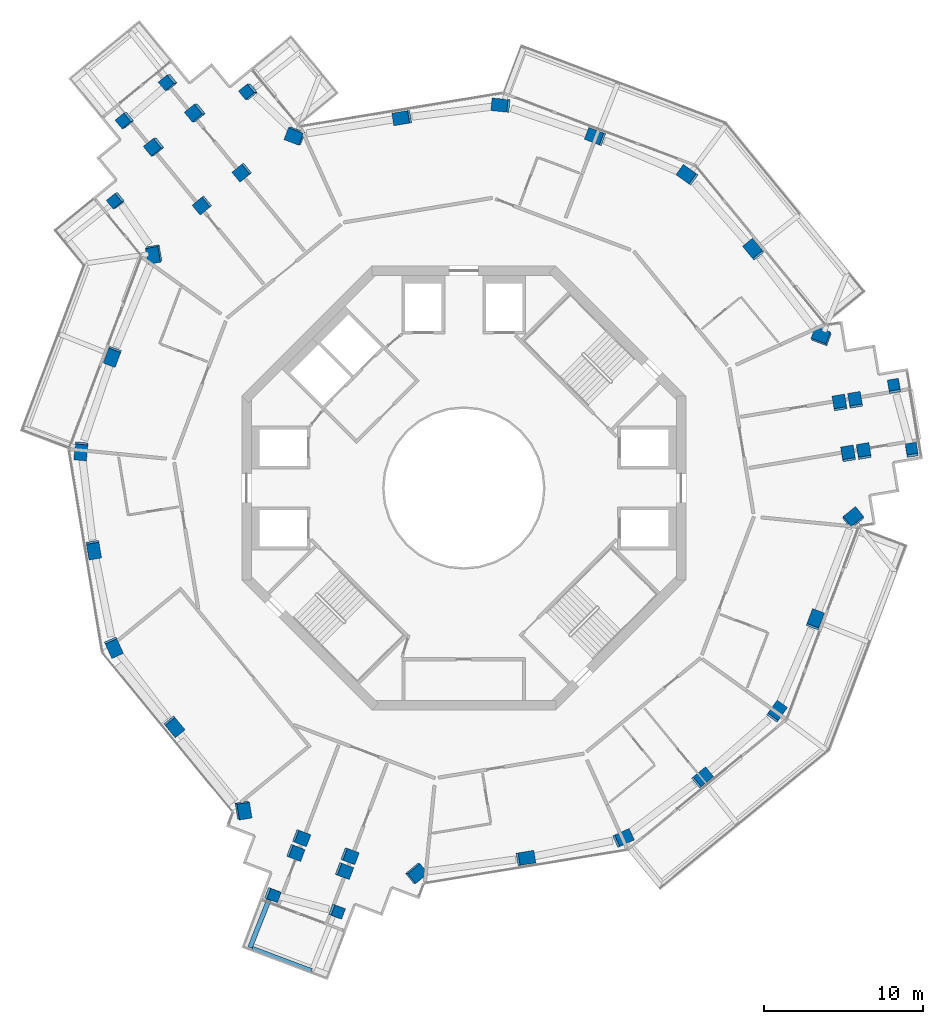
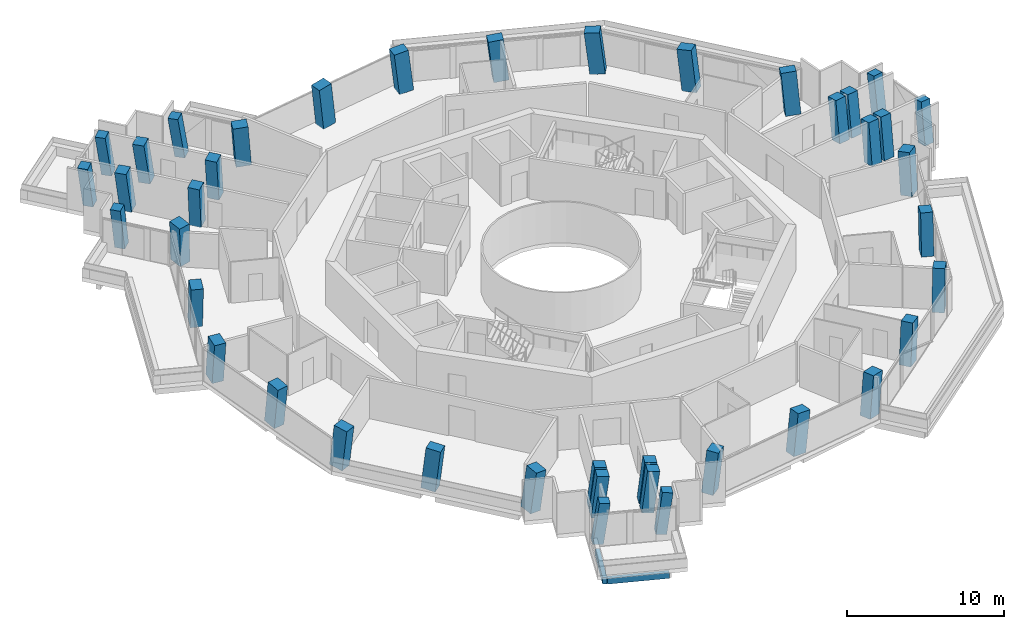
# One storey, part 1 of 21: 41 columns, 2 beams.
"""IFC4 building model written with IfcOpenShell, lengths in metres."""

from ifc_helpers import new_model, si_unit, direction, frame, origin, origin_2d, place, context, subcontext, project, spatial, rectangle, extrude, material, material_profile, profile_set, type_object, element, save


model = new_model("IFC4")

# Units and contexts
model_context = context("Model", 3, precision=1e-05, world=origin(), true_north=direction((0.0, 1.0)))
body_context = subcontext(model_context, "Body", "Model", "MODEL_VIEW")
ifc_project = project(units=[si_unit("LENGTHUNIT", "METRE"), si_unit("AREAUNIT", "SQUARE_METRE"), si_unit("VOLUMEUNIT", "CUBIC_METRE"), si_unit("PLANEANGLEUNIT", "RADIAN"), si_unit("MASSUNIT", "GRAM", prefix="KILO")], contexts=[model_context])

# Site, building, storey
site_placement = place(None, origin())
site = spatial("IfcSite", under=ifc_project, at=site_placement, CompositionType="ELEMENT")
building_placement = place(site_placement, origin())
building = spatial("IfcBuilding", under=site, at=building_placement, Name="Verdalira Terraces Hotel", CompositionType="ELEMENT")
storey_placement = place(building_placement, frame((0.0, 0.0, 194.0)))
storey = spatial("IfcBuildingStorey", under=building, at=storey_placement, Name="L47", CompositionType="ELEMENT", Elevation=194.0)

# Columns
ifc_material_1 = material(Name="Concrete C60", Category="concrete")
ifc_material_profile_1 = material_profile(ifc_material_1, rectangle(XDim=1.0, YDim=0.800049, at=origin_2d()), Name="RC 1000X800")
ifc_profile_set_1 = profile_set([ifc_material_profile_1], Name="Concrete C60")
column_type_1 = type_object("IfcColumnType", Name="Column RC 1000X800 C60", PredefinedType="COLUMN", material=ifc_profile_set_1)
column_1_placement = place(storey_placement, frame((-19.521484, 14.780273, 0.0), z_axis=(-0.069476843, -0.093421269, 0.993199595), x_axis=(-0.169022074, 0.982313293, 0.080573769)))
element("IfcColumn", 1, at=column_1_placement, inside=storey, type_object=column_type_1, Name="Column C03", PredefinedType="COLUMN", context=body_context, shape_type="SweptSolid", body=[
    extrude(rectangle(XDim=1.0, YDim=0.800049, at=origin_2d()), origin(), (0.0, 0.0, 1.0), 3.21167),
])
column_2_placement = place(storey_placement, frame((-22.139893, 8.339355, 0.0), z_axis=(-0.038784697, -0.105631262, 0.993648722), x_axis=(-0.350385276, -0.929821941, -0.112522514)))
element("IfcColumn", 2, at=column_2_placement, inside=storey, type_object=column_type_1, Name="Column C04", PredefinedType="COLUMN", context=body_context, shape_type="SweptSolid", body=[
    extrude(rectangle(XDim=1.0, YDim=0.800049, at=origin_2d()), origin(), (0.0, 0.0, 1.0), 3.210449),
])
column_3_placement = place(storey_placement, frame((-24.137451, 2.383789, 0.0), z_axis=(-0.010339232, -0.114871908, 0.993326505), x_axis=(0.097442208, 0.988536042, 0.115332167)))
element("IfcColumn", 3, at=column_3_placement, inside=storey, type_object=column_type_1, Name="Column C05", PredefinedType="COLUMN", context=body_context, shape_type="SweptSolid", body=[
    extrude(rectangle(XDim=1.0, YDim=0.800049, at=origin_2d()), origin(), (0.0, 0.0, 1.0), 3.211426),
])
column_4_placement = place(storey_placement, frame((-23.343262, -3.847656, 0.0), z_axis=(0.019240232, -0.110878491, 0.993647711), x_axis=(0.161570885, -0.980424155, -0.112531444)))
element("IfcColumn", 4, at=column_4_placement, inside=storey, type_object=column_type_1, Name="Column C06", PredefinedType="COLUMN", context=body_context, shape_type="SweptSolid", body=[
    extrude(rectangle(XDim=1.0, YDim=0.800049, at=origin_2d()), origin(), (0.0, 0.0, 1.0), 3.210449),
])
column_5_placement = place(storey_placement, frame((-22.095459, -10.004395, 0.0), z_axis=(0.048502944, -0.104684253, 0.993322038), x_axis=(-0.409920721, 0.904795347, 0.115370627)))
element("IfcColumn", 5, at=column_5_placement, inside=storey, type_object=column_type_1, Name="Column C07", PredefinedType="COLUMN", context=body_context, shape_type="SweptSolid", body=[
    extrude(rectangle(XDim=1.0, YDim=0.800049, at=origin_2d()), origin(), (0.0, 0.0, 1.0), 3.211426),
])
column_6_placement = place(storey_placement, frame((-18.291992, -15.003906, 0.0), z_axis=(0.072093953, -0.086391066, 0.993649357), x_axis=(0.630150897, -0.768277159, -0.112516907)))
element("IfcColumn", 6, at=column_6_placement, inside=storey, type_object=column_type_1, Name="Column C08", PredefinedType="COLUMN", context=body_context, shape_type="SweptSolid", body=[
    extrude(rectangle(XDim=1.0, YDim=0.800049, at=origin_2d()), origin(), (0.0, 0.0, 1.0), 3.210449),
])
column_7_placement = place(storey_placement, frame((-13.950195, -20.297363, 0.0), z_axis=(0.09706211, -0.065518824, 0.993119444), x_axis=(-0.155337235, 0.984605551, 0.080138959)))
element("IfcColumn", 7, at=column_7_placement, inside=storey, type_object=column_type_1, Name="Column C09", PredefinedType="COLUMN", context=body_context, shape_type="SweptSolid", body=[
    extrude(rectangle(XDim=1.0, YDim=0.800049, at=origin_2d()), origin(), (0.0, 0.0, 1.0), 3.212158),
])
column_8_placement = place(storey_placement, frame((-3.039307, -24.296143, 0.0), z_axis=(0.115617728, -0.013454529, 0.993202656), x_axis=(-0.766196421, -0.637537313, 0.08055569)))
element("IfcColumn", 8, at=column_8_placement, inside=storey, type_object=column_type_1, Name="Column C12", PredefinedType="COLUMN", context=body_context, shape_type="SweptSolid", body=[
    extrude(rectangle(XDim=1.0, YDim=0.800049, at=origin_2d()), origin(), (0.0, 0.0, 1.0), 3.21167),
])
column_9_placement = place(storey_placement, frame((3.847656, -23.343262, 0.0), z_axis=(0.110878491, 0.019240232, 0.993647711), x_axis=(0.980424155, 0.161570885, -0.112531444)))
element("IfcColumn", 9, at=column_9_placement, inside=storey, type_object=column_type_1, Name="Column C13", PredefinedType="COLUMN", context=body_context, shape_type="SweptSolid", body=[
    extrude(rectangle(XDim=1.0, YDim=0.800049, at=origin_2d()), origin(), (0.0, 0.0, 1.0), 3.210449),
])
column_10_placement = place(storey_placement, frame((10.004395, -22.095459, 0.0), z_axis=(0.104684253, 0.048502944, 0.993322038), x_axis=(-0.904795347, -0.409920721, 0.115370627)))
element("IfcColumn", 10, at=column_10_placement, inside=storey, type_object=column_type_1, Name="Column C14", PredefinedType="COLUMN", context=body_context, shape_type="SweptSolid", body=[
    extrude(rectangle(XDim=1.0, YDim=0.800049, at=origin_2d()), origin(), (0.0, 0.0, 1.0), 3.211426),
])
column_11_placement = place(storey_placement, frame((15.003906, -18.291992, 0.0), z_axis=(0.086391066, 0.072093953, 0.993649357), x_axis=(0.768277159, 0.630150897, -0.112516907)))
element("IfcColumn", 11, at=column_11_placement, inside=storey, type_object=column_type_1, Name="Column C15", PredefinedType="COLUMN", context=body_context, shape_type="SweptSolid", body=[
    extrude(rectangle(XDim=1.0, YDim=0.800049, at=origin_2d()), origin(), (0.0, 0.0, 1.0), 3.210449),
])
column_12_placement = place(storey_placement, frame((19.71167, -14.133057, 0.0), z_axis=(0.066444321, 0.094344854, 0.993319788), x_axis=(-0.578831594, -0.807241683, 0.11539)))
element("IfcColumn", 12, at=column_12_placement, inside=storey, type_object=column_type_1, Name="Column C16", PredefinedType="COLUMN", context=body_context, shape_type="SweptSolid", body=[
    extrude(rectangle(XDim=1.0, YDim=0.800049, at=origin_2d()), origin(), (0.0, 0.0, 1.0), 3.211426),
])
column_13_placement = place(storey_placement, frame((22.139893, -8.339355, 0.0), z_axis=(0.038784697, 0.105631262, 0.993648722), x_axis=(0.350385276, 0.929821941, -0.112522514)))
element("IfcColumn", 13, at=column_13_placement, inside=storey, type_object=column_type_1, Name="Column C17", PredefinedType="COLUMN", context=body_context, shape_type="SweptSolid", body=[
    extrude(rectangle(XDim=1.0, YDim=0.800049, at=origin_2d()), origin(), (0.0, 0.0, 1.0), 3.210449),
])
column_14_placement = place(storey_placement, frame((24.552979, -1.932617, 0.0), z_axis=(0.008284852, 0.116824008, 0.993118076), x_axis=(-0.775422304, -0.626335953, 0.0801469)))
element("IfcColumn", 14, at=column_14_placement, inside=storey, type_object=column_type_1, Name="Column C18", PredefinedType="COLUMN", context=body_context, shape_type="SweptSolid", body=[
    extrude(rectangle(XDim=1.0, YDim=0.800049, at=origin_2d()), origin(), (0.0, 0.0, 1.0), 3.212158),
])
column_15_placement = place(storey_placement, frame((22.560791, 9.515869, 0.0), z_axis=(-0.046140603, 0.106875927, 0.993201179), x_axis=(0.935152586, -0.344962339, 0.080564417)))
element("IfcColumn", 15, at=column_15_placement, inside=storey, type_object=column_type_1, Name="Column C21", PredefinedType="COLUMN", context=body_context, shape_type="SweptSolid", body=[
    extrude(rectangle(XDim=1.0, YDim=0.800049, at=origin_2d()), origin(), (0.0, 0.0, 1.0), 3.21167),
])
column_16_placement = place(storey_placement, frame((18.291992, 15.003906, 0.0), z_axis=(-0.072093953, 0.086391066, 0.993649357), x_axis=(-0.630150897, 0.768277159, -0.112516907)))
element("IfcColumn", 16, at=column_16_placement, inside=storey, type_object=column_type_1, Name="Column C22", PredefinedType="COLUMN", context=body_context, shape_type="SweptSolid", body=[
    extrude(rectangle(XDim=1.0, YDim=0.800049, at=origin_2d()), origin(), (0.0, 0.0, 1.0), 3.210449),
])
column_17_placement = place(storey_placement, frame((14.133057, 19.71167, 0.0), z_axis=(-0.094344854, 0.066444321, 0.993319788), x_axis=(0.807241683, -0.578831594, 0.11539)))
element("IfcColumn", 17, at=column_17_placement, inside=storey, type_object=column_type_1, Name="Column C23", PredefinedType="COLUMN", context=body_context, shape_type="SweptSolid", body=[
    extrude(rectangle(XDim=1.0, YDim=0.800049, at=origin_2d()), origin(), (0.0, 0.0, 1.0), 3.211426),
])
column_18_placement = place(storey_placement, frame((8.339355, 22.139893, 0.0), z_axis=(-0.105631262, 0.038784697, 0.993648722), x_axis=(-0.929821941, 0.350385276, -0.112522514)))
element("IfcColumn", 18, at=column_18_placement, inside=storey, type_object=column_type_1, Name="Column C24", PredefinedType="COLUMN", context=body_context, shape_type="SweptSolid", body=[
    extrude(rectangle(XDim=1.0, YDim=0.800049, at=origin_2d()), origin(), (0.0, 0.0, 1.0), 3.210449),
])
column_19_placement = place(storey_placement, frame((2.383789, 24.137451, 0.0), z_axis=(-0.114871908, 0.010339232, 0.993326505), x_axis=(0.988536042, -0.097442208, 0.115332167)))
element("IfcColumn", 19, at=column_19_placement, inside=storey, type_object=column_type_1, Name="Column C25", PredefinedType="COLUMN", context=body_context, shape_type="SweptSolid", body=[
    extrude(rectangle(XDim=1.0, YDim=0.800049, at=origin_2d()), origin(), (0.0, 0.0, 1.0), 3.211426),
])
column_20_placement = place(storey_placement, frame((-3.847656, 23.343262, 0.0), z_axis=(-0.110878491, -0.019240232, 0.993647711), x_axis=(-0.980424155, -0.161570885, -0.112531444)))
element("IfcColumn", 20, at=column_20_placement, inside=storey, type_object=column_type_1, Name="Column C26", PredefinedType="COLUMN", context=body_context, shape_type="SweptSolid", body=[
    extrude(rectangle(XDim=1.0, YDim=0.800049, at=origin_2d()), origin(), (0.0, 0.0, 1.0), 3.210449),
])
column_21_placement = place(storey_placement, frame((-10.603027, 22.22998, 0.0), z_axis=(-0.105270942, -0.051305333, 0.993119223), x_axis=(0.930381174, -0.35772673, 0.080140241)))
element("IfcColumn", 21, at=column_21_placement, inside=storey, type_object=column_type_1, Name="Column C27", PredefinedType="COLUMN", context=body_context, shape_type="SweptSolid", body=[
    extrude(rectangle(XDim=1.0, YDim=0.800049, at=origin_2d()), origin(), (0.0, 0.0, 1.0), 3.212158),
])
ifc_material_2 = material(Name="Concrete C60", Category="concrete")
ifc_material_profile_2 = material_profile(ifc_material_2, rectangle(XDim=0.699951, YDim=0.699951, at=origin_2d()), Name="RC 700X700")
ifc_profile_set_2 = profile_set([ifc_material_profile_2], Name="Concrete C60")
column_type_2 = type_object("IfcColumnType", Name="Column RC 700X700 C60", PredefinedType="COLUMN", material=ifc_profile_set_2)
column_22_placement = place(storey_placement, frame((-13.515137, 24.991699, 0.0), z_axis=(-0.163974568, -0.009965305, 0.98641423), x_axis=(-0.62120179, 0.777821307, -0.095406236)))
element("IfcColumn", 22, at=column_22_placement, inside=storey, type_object=column_type_2, Name="Column C01", PredefinedType="COLUMN", context=body_context, shape_type="SweptSolid", body=[
    extrude(rectangle(XDim=0.699951, YDim=0.699951, at=origin_2d()), origin(), (0.0, 0.0, 1.0), 3.233887),
])
column_23_placement = place(storey_placement, frame((-21.893555, 18.145264, 0.0), z_axis=(-0.131843016, -0.049479017, 0.990034972), x_axis=(0.628924315, -0.77616525, 0.044963447)))
element("IfcColumn", 23, at=column_23_placement, inside=storey, type_object=column_type_2, Name="Column C02", PredefinedType="COLUMN", context=body_context, shape_type="SweptSolid", body=[
    extrude(rectangle(XDim=0.699951, YDim=0.699951, at=origin_2d()), origin(), (0.0, 0.0, 1.0), 3.222168),
])
column_24_placement = place(storey_placement, frame((-12.113281, -25.633789, 0.0), z_axis=(0.122100813, -0.056424226, 0.990912558), x_axis=(0.927888353, -0.34789146, -0.134144459)))
element("IfcColumn", 24, at=column_24_placement, inside=storey, type_object=column_type_2, Name="Column C10", PredefinedType="COLUMN", context=body_context, shape_type="SweptSolid", body=[
    extrude(rectangle(XDim=0.699951, YDim=0.699951, at=origin_2d()), origin(), (0.0, 0.0, 1.0), 3.219238),
])
column_25_placement = place(storey_placement, frame((-8.065186, -26.688477, 0.0), z_axis=(0.126992226, -0.037172157, 0.991206944), x_axis=(0.927283916, -0.350337214, -0.131940801)))
element("IfcColumn", 25, at=column_25_placement, inside=storey, type_object=column_type_2, Name="Column C11", PredefinedType="COLUMN", context=body_context, shape_type="SweptSolid", body=[
    extrude(rectangle(XDim=0.699951, YDim=0.699951, at=origin_2d()), origin(), (0.0, 0.0, 1.0), 3.218262),
])
column_26_placement = place(storey_placement, frame((28.256104, 2.326416, 0.0), z_axis=(-0.012134164, 0.13400667, 0.990906138), x_axis=(-0.162254331, 0.977581782, -0.13419162)))
element("IfcColumn", 26, at=column_26_placement, inside=storey, type_object=column_type_2, Name="Column C19", PredefinedType="COLUMN", context=body_context, shape_type="SweptSolid", body=[
    extrude(rectangle(XDim=0.699951, YDim=0.699951, at=origin_2d()), origin(), (0.0, 0.0, 1.0), 3.219238),
])
column_27_placement = place(storey_placement, frame((27.145508, 6.359619, 0.0), z_axis=(-0.031255226, 0.128510565, 0.991215489), x_axis=(-0.159986451, 0.978270312, -0.131876957)))
element("IfcColumn", 27, at=column_27_placement, inside=storey, type_object=column_type_2, Name="Column C20", PredefinedType="COLUMN", context=body_context, shape_type="SweptSolid", body=[
    extrude(rectangle(XDim=0.699951, YDim=0.699951, at=origin_2d()), origin(), (0.0, 0.0, 1.0), 3.218262),
])
column_28_placement = place(storey_placement, frame((-18.572021, 25.590576, 0.0), z_axis=(-0.166383559, -0.033865013, 0.985479412), x_axis=(-0.756669368, -0.636446663, -0.149623234)))
element("IfcColumn", 28, at=column_28_placement, inside=storey, type_object=column_type_2, Name="Column C28", PredefinedType="COLUMN", context=body_context, shape_type="SweptSolid", body=[
    extrude(rectangle(XDim=0.699951, YDim=0.699951, at=origin_2d()), origin(), (0.0, 0.0, 1.0), 3.237061),
])
column_29_placement = place(storey_placement, frame((-21.308594, 23.203613, 0.0), z_axis=(-0.155346071, -0.046747311, 0.986753408), x_axis=(-0.758462124, -0.634348104, -0.149457988)))
element("IfcColumn", 29, at=column_29_placement, inside=storey, type_object=column_type_2, Name="Column C29", PredefinedType="COLUMN", context=body_context, shape_type="SweptSolid", body=[
    extrude(rectangle(XDim=0.699951, YDim=0.699951, at=origin_2d()), origin(), (0.0, 0.0, 1.0), 3.232666),
])
ifc_material_3 = material(Name="Concrete C60", Category="concrete")
ifc_material_profile_3 = material_profile(ifc_material_3, rectangle(XDim=0.800049, YDim=0.800049, at=origin_2d()), Name="RC 800X800")
ifc_profile_set_3 = profile_set([ifc_material_profile_3], Name="Concrete C60")
column_type_3 = type_object("IfcColumnType", Name="Column RC 800X800 C60", PredefinedType="COLUMN", material=ifc_profile_set_3)
for number, where, z_axis, x_axis, name in (
    (30, (-13.949219, 19.93335, 0.0), (-0.094189853, -0.067126425, 0.993288636), (-0.633639667, 0.773588928, -0.007806561), "Column C30"),
    (31, (-16.466797, 17.868164, 0.0), (-0.084308458, -0.078986914, 0.993304159), (-0.634724043, 0.772701795, 0.007571422), "Column C31"),
):
    element("IfcColumn", number, at=place(storey_placement, frame(where, z_axis=z_axis, x_axis=x_axis)), inside=storey, type_object=column_type_3, Name=name, PredefinedType="COLUMN", context=body_context, shape_type="SweptSolid", body=[
        extrude(rectangle(XDim=0.800049, YDim=0.800049, at=origin_2d()), origin(), (0.0, 0.0, 1.0), 3.211426),
    ])
column_30_placement = place(storey_placement, frame((-16.864014, 23.66748, 0.0), z_axis=(-0.157749477, -0.025762726, 0.987143041), x_axis=(-0.623531863, 0.777761167, -0.079344709)))
element("IfcColumn", 32, at=column_30_placement, inside=storey, type_object=column_type_3, Name="Column C32", PredefinedType="COLUMN", context=body_context, shape_type="SweptSolid", body=[
    extrude(rectangle(XDim=0.800049, YDim=0.800049, at=origin_2d()), origin(), (0.0, 0.0, 1.0), 3.231445),
])
column_31_placement = place(storey_placement, frame((-19.470215, 21.529785, 0.0), z_axis=(-0.147722608, -0.038046325, 0.988296771), x_axis=(-0.625986213, 0.777232529, -0.063646343)))
element("IfcColumn", 33, at=column_31_placement, inside=storey, type_object=column_type_3, Name="Column C33", PredefinedType="COLUMN", context=body_context, shape_type="SweptSolid", body=[
    extrude(rectangle(XDim=0.800049, YDim=0.800049, at=origin_2d()), origin(), (0.0, 0.0, 1.0), 3.227783),
])
for number, where, z_axis, x_axis, name in (
    (34, (-10.288086, -22.046875, 0.0), (0.105212857, -0.048045178, 0.993288435), (-0.353455624, -0.935418718, -0.007806677), "Column C34"),
    (35, (-7.240723, -23.194824, 0.0), (0.110536324, -0.033525804, 0.993306469), (-0.351917082, -0.936000566, 0.00757012), "Column C35"),
):
    element("IfcColumn", number, at=place(storey_placement, frame(where, z_axis=z_axis, x_axis=x_axis)), inside=storey, type_object=column_type_3, Name=name, PredefinedType="COLUMN", context=body_context, shape_type="SweptSolid", body=[
        extrude(rectangle(XDim=0.800049, YDim=0.800049, at=origin_2d()), origin(), (0.0, 0.0, 1.0), 3.211426),
    ])
column_32_placement = place(storey_placement, frame((-10.656494, -22.976807, 0.0), z_axis=(0.109635887, -0.049765423, 0.992725226), x_axis=(-0.353578598, -0.935371952, -0.007841322)))
element("IfcColumn", 36, at=column_32_placement, inside=storey, type_object=column_type_3, Name="Column C36", PredefinedType="COLUMN", context=body_context, shape_type="SweptSolid", body=[
    extrude(rectangle(XDim=0.800049, YDim=0.800049, at=origin_2d()), origin(), (0.0, 0.0, 1.0), 3.213379),
])
column_33_placement = place(storey_placement, frame((-7.593262, -24.130615, 0.0), z_axis=(0.114957203, -0.035102596, 0.992750044), x_axis=(-0.351506684, -0.936154508, 0.007601885)))
element("IfcColumn", 37, at=column_33_placement, inside=storey, type_object=column_type_3, Name="Column C37", PredefinedType="COLUMN", context=body_context, shape_type="SweptSolid", body=[
    extrude(rectangle(XDim=0.800049, YDim=0.800049, at=origin_2d()), origin(), (0.0, 0.0, 1.0), 3.213135),
])
for number, where, z_axis, x_axis, name in (
    (38, (24.237305, 2.113525, 0.0), (-0.01102298, 0.115171133, 0.993284503), (0.986793765, 0.161793345, -0.007808956), "Column C38"),
    (39, (23.707764, 5.32666, 0.0), (-0.026303576, 0.112512408, 0.993302109), (0.986469964, 0.163767107, 0.007572577), "Column C39"),
):
    element("IfcColumn", number, at=place(storey_placement, frame(where, z_axis=z_axis, x_axis=x_axis)), inside=storey, type_object=column_type_3, Name=name, PredefinedType="COLUMN", context=body_context, shape_type="SweptSolid", body=[
        extrude(rectangle(XDim=0.800049, YDim=0.800049, at=origin_2d()), origin(), (0.0, 0.0, 1.0), 3.211426),
    ])
column_34_placement = place(storey_placement, frame((25.226807, 2.259766, 0.0), z_axis=(-0.011776669, 0.119742128, 0.992735178), x_axis=(0.986757532, 0.162012872, -0.007835976)))
element("IfcColumn", 40, at=column_34_placement, inside=storey, type_object=column_type_3, Name="Column C40", PredefinedType="COLUMN", context=body_context, shape_type="SweptSolid", body=[
    extrude(rectangle(XDim=0.800049, YDim=0.800049, at=origin_2d()), origin(), (0.0, 0.0, 1.0), 3.213379),
])
column_35_placement = place(storey_placement, frame((24.694336, 5.489258, 0.0), z_axis=(-0.027048606, 0.117159975, 0.992744636), x_axis=(0.986543111, 0.163324396, 0.007604709)))
element("IfcColumn", 41, at=column_35_placement, inside=storey, type_object=column_type_3, Name="Column C41", PredefinedType="COLUMN", context=body_context, shape_type="SweptSolid", body=[
    extrude(rectangle(XDim=0.800049, YDim=0.800049, at=origin_2d()), origin(), (0.0, 0.0, 1.0), 3.213135),
])

# Beams
ifc_material_4 = material(Name="Concrete C40", Category="concrete")
ifc_material_profile_4 = material_profile(ifc_material_4, rectangle(XDim=0.300049, YDim=0.5, at=origin_2d()), Name="RC 300X500")
ifc_profile_set_4 = profile_set([ifc_material_profile_4], Name="Concrete C40")
beam_type_1 = type_object("IfcBeamType", Name="Balcony cantilever beam RC 300X500 C40", PredefinedType="BEAM", material=ifc_profile_set_4)
beam_1_placement = place(storey_placement, frame((-12.280029, -25.940918, -0.560059), z_axis=(-0.368116009, -0.929779869, 0.0), x_axis=(0.929779869, -0.368116009, 0.0)))
element("IfcBeam", 42, at=beam_1_placement, inside=storey, type_object=beam_type_1, Name="Balcony cantilever beam R19-1", PredefinedType="BEAM", context=body_context, shape_type="SweptSolid", body=[
    extrude(rectangle(XDim=0.300049, YDim=0.5, at=origin_2d()), origin(), (0.0, 0.0, 1.0), 3.254395),
])
ifc_material_5 = material(Name="Concrete C40", Category="concrete")
ifc_material_profile_5 = material_profile(ifc_material_5, rectangle(XDim=0.25, YDim=0.449951, at=origin_2d()), Name="RC 250X450")
ifc_profile_set_5 = profile_set([ifc_material_profile_5], Name="Concrete C40")
beam_type_2 = type_object("IfcBeamType", Name="Balcony edge beam RC 250X450 C40", PredefinedType="BEAM", material=ifc_profile_set_5)
beam_2_placement = place(storey_placement, frame((-13.337646, -29.019531, -0.534912), z_axis=(0.935814398, -0.352493139, 0.0), x_axis=(0.352493139, 0.935814398, 0.0)))
element("IfcBeam", 43, at=beam_2_placement, inside=storey, type_object=beam_type_2, Name="Balcony edge beam R19-1", PredefinedType="BEAM", context=body_context, shape_type="SweptSolid", body=[
    extrude(rectangle(XDim=0.25, YDim=0.449951, at=origin_2d()), origin(), (0.0, 0.0, 1.0), 4.003174),
])

save(model, "model.ifc")
